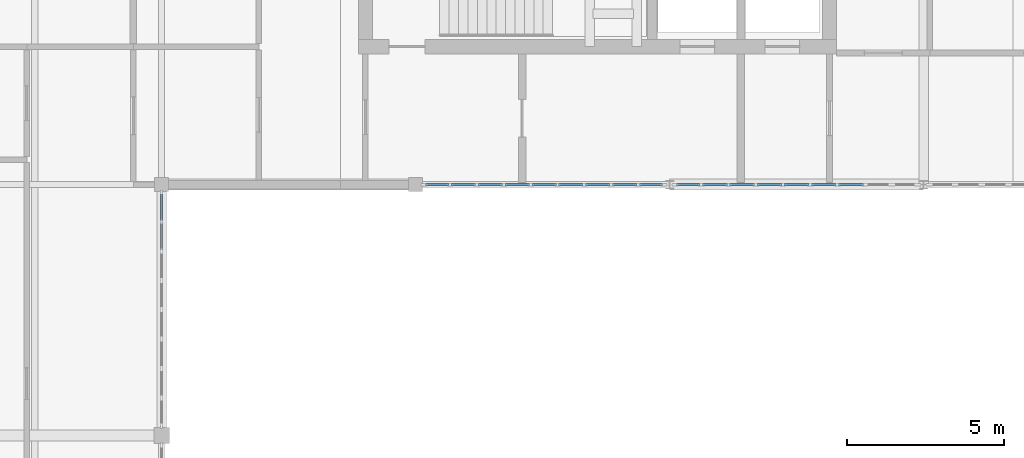
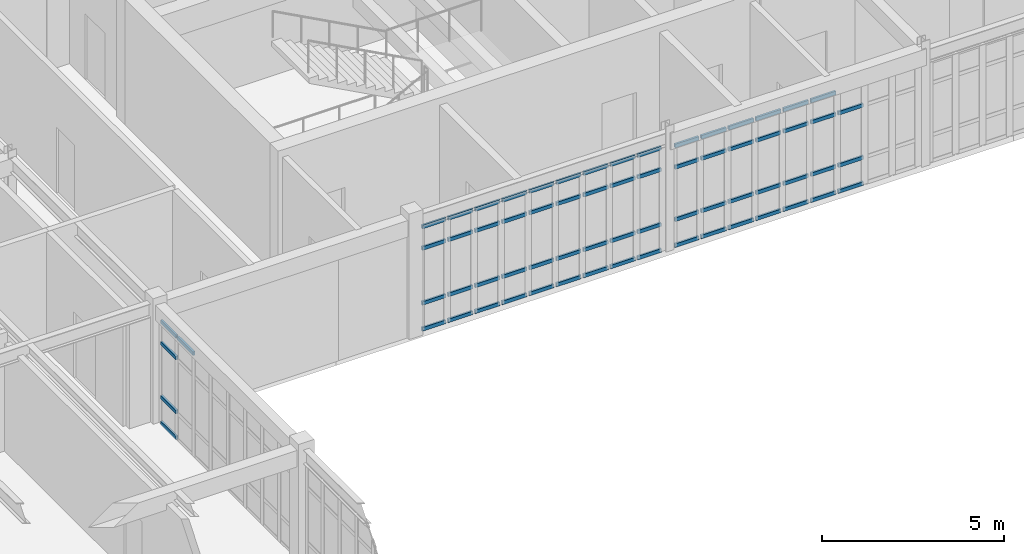
# One storey, part 18 of 36: 68 members, 3 elements without a shape of their own.
"""IFC4 building model written with IfcOpenShell, lengths in metres."""

import ifcopenshell
import ifcopenshell.guid

model = None  # the IFC model being written
_history = None  # IfcOwnerHistory: only IFC2X3 demands one
_inside = {}  # id of a spatial element -> (the spatial element, [elements in it])
_under = {}  # id of a project, library or spatial element -> (it, [spatial elements below it])
_declared = {}  # id of a project -> (the project, [libraries it declares])
_typed = {}  # id of a type object -> (the type object, [elements of that type])
_made_of = {}  # id of a material, layer set ... -> (it, [elements and type objects made of it])


def new_model(schema):
    """Start an empty IFC model of exactly this schema.

    Asked for "IFC4X3", IfcOpenShell would pick the latest addendum, in which some entities
    have other attributes; the version numbers below select the first issue.
    IFC2X3 requires an IfcOwnerHistory on every rooted entity: one is made here for all.
    """
    global model, _history
    if schema == "IFC4X3":
        model = ifcopenshell.file(schema_version=(4, 3, 0, 0))
    else:
        model = ifcopenshell.file(schema=schema)
    _inside.clear()
    _under.clear()
    _declared.clear()
    _typed.clear()
    _made_of.clear()
    _history = None
    if model.schema == "IFC2X3":
        org = make("IfcOrganization", Name="unknown")
        user = make(
            "IfcPersonAndOrganization",
            ThePerson=make("IfcPerson", FamilyName="unknown"),
            TheOrganization=org,
        )
        app = make(
            "IfcApplication",
            ApplicationDeveloper=org,
            Version="unknown",
            ApplicationFullName="unknown",
            ApplicationIdentifier="unknown",
        )
        _history = make(
            "IfcOwnerHistory",
            OwningUser=user,
            OwningApplication=app,
            ChangeAction="ADDED",
            CreationDate=0,
        )
    return model


def make(cls, **values):
    """One entity of the class cls with the attributes given. An attribute that is None is left unset."""
    return model.create_entity(
        cls, **{name: value for name, value in values.items() if value is not None}
    )


def rooted(cls, **values):
    """An entity with a GlobalId (a new one), such as an element, a storey or a relation."""
    return make(cls, GlobalId=ifcopenshell.guid.new(), OwnerHistory=_history, **values)


def si_unit(unit_type, name, prefix=None):
    """IfcSIUnit, for example si_unit("LENGTHUNIT", "METRE", prefix="MILLI")."""
    return make("IfcSIUnit", UnitType=unit_type, Prefix=prefix, Name=name)


def assignment(units):
    """IfcUnitAssignment: the units of a project."""
    return None if units is None else make("IfcUnitAssignment", Units=units)


def point(xyz):
    """IfcCartesianPoint."""
    return None if xyz is None else make("IfcCartesianPoint", Coordinates=xyz)


def direction(xyz):
    """IfcDirection."""
    return None if xyz is None else make("IfcDirection", DirectionRatios=xyz)


def frame(location, z_axis=None, x_axis=None):
    """IfcAxis2Placement3D, a coordinate frame: its origin and axes. An axis left out is left unset."""
    return make(
        "IfcAxis2Placement3D",
        Location=point(location),
        Axis=direction(z_axis),
        RefDirection=direction(x_axis),
    )


def frame_2d(location, x_axis=None):
    """IfcAxis2Placement2D, a coordinate frame in the plane: its origin and x axis."""
    return make(
        "IfcAxis2Placement2D", Location=point(location), RefDirection=direction(x_axis)
    )


def origin():
    """The frame at (0, 0, 0) with its axes left unset."""
    return frame((0.0, 0.0, 0.0))


def origin_2d():
    """The frame at (0, 0) in the plane with its x axis left unset."""
    return frame_2d((0.0, 0.0))


def place(relative_to, where):
    """IfcLocalPlacement: puts the frame where relative to a parent placement (None: the world)."""
    return make(
        "IfcLocalPlacement", PlacementRelTo=relative_to, RelativePlacement=where
    )


def context(
    kind, dimensions, precision=None, world=None, true_north=None, identifier=None
):
    """IfcGeometricRepresentationContext, for example the 3D "Model" context."""
    return make(
        "IfcGeometricRepresentationContext",
        ContextIdentifier=identifier,
        ContextType=kind,
        CoordinateSpaceDimension=dimensions,
        Precision=precision,
        WorldCoordinateSystem=world,
        TrueNorth=true_north,
    )


def subcontext(parent, identifier, kind, view, scale=None):
    """IfcGeometricRepresentationSubContext, for example "Body" below "Model"."""
    return make(
        "IfcGeometricRepresentationSubContext",
        ContextIdentifier=identifier,
        ContextType=kind,
        ParentContext=parent,
        TargetScale=scale,
        TargetView=view,
    )


def project(units=None, contexts=None):
    """IfcProject with its units and contexts."""
    return rooted(
        "IfcProject",
        Name="project",
        RepresentationContexts=contexts,
        UnitsInContext=assignment(units),
    )


def spatial(cls, under=None, at=None, **own):
    """A site, building, storey or space (cls), placed at a placement, below another one or the project."""
    s = rooted(cls, ObjectPlacement=at, **own)
    if under is not None:
        _under.setdefault(under.id(), (under, []))[1].append(s)
    return s


def profile(cls, at=None, kind="AREA", **sizes):
    """A parametric profile (cls). Its sizes go by their IFC names, for example OverallWidth=200.0."""
    return make(cls, ProfileType=kind, Position=at, **sizes)


def rectangle(**sizes):
    """IfcRectangleProfileDef."""
    return profile("IfcRectangleProfileDef", **sizes)


def extrude(swept, where, along, depth):
    """IfcExtrudedAreaSolid: the profile swept, set in the frame where, extruded along a direction by depth."""
    return make(
        "IfcExtrudedAreaSolid",
        SweptArea=swept,
        Position=where,
        ExtrudedDirection=direction(along),
        Depth=depth,
    )


def shape(context_of_items, identifier, shape_type, items):
    """IfcShapeRepresentation: the items that make up one representation, for example the "Body"."""
    return make(
        "IfcShapeRepresentation",
        ContextOfItems=context_of_items,
        RepresentationIdentifier=identifier,
        RepresentationType=shape_type,
        Items=items,
    )


def material(Name=None, Category=None):
    """IfcMaterial."""
    return make("IfcMaterial", Name=Name, Category=Category)


def material_profile(
    of_material, cross_section, Name=None, Category=None, Priority=None
):
    """IfcMaterialProfile: a cross section and its material."""
    return make(
        "IfcMaterialProfile",
        Name=Name,
        Material=of_material,
        Profile=cross_section,
        Priority=Priority,
        Category=Category,
    )


def profile_set(profiles, Name=None, composite=None):
    """IfcMaterialProfileSet."""
    return make(
        "IfcMaterialProfileSet",
        Name=Name,
        MaterialProfiles=profiles,
        CompositeProfile=composite,
    )


def made_of(thing, what):
    """Note that an element or type object is made of a material, layer set ...; save() writes the relation."""
    if what is not None:
        _made_of.setdefault(what.id(), (what, []))[1].append(thing)
    return thing


def type_object(cls, material=None, **own):
    """A type object (cls), such as IfcWallType, which elements share."""
    return made_of(rooted(cls, **own), material)


def element(
    cls,
    number,
    at=None,
    inside=None,
    cuts=None,
    type_object=None,
    material=None,
    context=None,
    identifier="Body",
    shape_type=None,
    held_by="IfcProductDefinitionShape",
    body=None,
    shapes=None,
    **own,
):
    """One element of the class cls, such as IfcWall. Its Tag is "e" and its number.

    at: its placement. inside: the storey or other place that contains it. cuts: it is an
    opening in that element (IfcRelVoidsElement). A single representation is given by context,
    identifier, shape_type and body (its items); several are given by shapes. held_by: the class
    of the entity that holds the representations. save() writes the other relations.
    """
    e = rooted(cls, Tag="e%d" % number, ObjectPlacement=at, **own)
    if body is not None:
        shapes = [shape(context, identifier, shape_type, body)]
    if shapes is not None:
        e.Representation = make(held_by, Representations=shapes)
    if inside is not None:
        _inside.setdefault(inside.id(), (inside, []))[1].append(e)
    if cuts is not None:
        rooted(
            "IfcRelVoidsElement", RelatingBuildingElement=cuts, RelatedOpeningElement=e
        )
    if type_object is not None:
        _typed.setdefault(type_object.id(), (type_object, []))[1].append(e)
    return made_of(e, material)


def aggregate(whole, parts):
    """IfcRelAggregates: a whole, such as a stair, and the parts it consists of."""
    return rooted("IfcRelAggregates", RelatingObject=whole, RelatedObjects=parts)


def save(model, path):
    """Write the relations noted so far, then the file.

    IfcRelAggregates (storeys below a building ...), IfcRelContainedInSpatialStructure (elements
    in a storey), IfcRelDefinesByType, IfcRelAssociatesMaterial and IfcRelDeclares: one each for
    every whole, place, type object, material and project.
    """
    for whole, parts in _under.values():
        aggregate(whole, parts)
    for where, things in _inside.values():
        rooted(
            "IfcRelContainedInSpatialStructure",
            RelatedElements=things,
            RelatingStructure=where,
        )
    for kind, things in _typed.values():
        rooted("IfcRelDefinesByType", RelatedObjects=things, RelatingType=kind)
    for what, things in _made_of.values():
        rooted("IfcRelAssociatesMaterial", RelatedObjects=things, RelatingMaterial=what)
    for by, libraries in _declared.values():
        rooted("IfcRelDeclares", RelatingContext=by, RelatedDefinitions=libraries)
    model.write(path)


model = new_model("IFC4")

# Units and contexts
model_context = context("Model", 3, precision=1e-05, world=origin(), true_north=direction((0.0, 1.0)))
body_context = subcontext(model_context, "Body", "Model", "MODEL_VIEW")
ifc_project = project(units=[si_unit("LENGTHUNIT", "METRE"), si_unit("AREAUNIT", "SQUARE_METRE"), si_unit("VOLUMEUNIT", "CUBIC_METRE"), si_unit("PLANEANGLEUNIT", "RADIAN"), si_unit("MASSUNIT", "GRAM", prefix="KILO")], contexts=[model_context])

# Site, building, storey
site_placement = place(None, origin())
site = spatial("IfcSite", under=ifc_project, at=site_placement, CompositionType="ELEMENT")
building_placement = place(site_placement, origin())
building = spatial("IfcBuilding", under=site, at=building_placement, Name="Tarnveldt Square Police Headquarters", CompositionType="ELEMENT")
storey_placement = place(building_placement, frame((0.0, 0.0, 24.89990234375)))
storey = spatial("IfcBuildingStorey", under=building, at=storey_placement, Name="L05", CompositionType="ELEMENT", Elevation=24.89990234375)

# Curtain wall, members
ifc_material_1 = material(Name="Triple-glazed low-e laminated vision glass", Category="glass")
curtain_wall_type_1 = type_object("IfcCurtainWallType", Name="CW-UP-750x345", PredefinedType="USERDEFINED", material=ifc_material_1)
curtain_wall_1_placement = place(storey_placement, origin())
curtain_wall_1 = element("IfcCurtainWall", 1, at=curtain_wall_1_placement, inside=storey, type_object=curtain_wall_type_1, Name="L05 Curtain Wall CW-L05-088", ObjectType="GLAZED CURTAIN WALL", PredefinedType="USERDEFINED")
ifc_material_2 = material(Name="Thermally broken anodised aluminium 6063-T6", Category="aluminium")
ifc_material_profile = material_profile(ifc_material_2, rectangle(XDim=0.06494140625, YDim=0.1201171875, at=origin_2d()), Name="CW-T65x120")
ifc_profile_set = profile_set([ifc_material_profile], Name="Thermally broken anodised aluminium 6063-T6")
member_type = type_object("IfcMemberType", Name="CWT-65x120", PredefinedType="USERDEFINED", material=ifc_profile_set)
member_1_placement = place(storey_placement, frame((40.5, 93.918701171875, 3.419677734375), z_axis=(0.0, 1.0, 0.0), x_axis=(-1.0, 0.0, 0.0)))
member_1 = element("IfcMember", 2, at=member_1_placement, type_object=member_type, Name="CW-UP46 transom 7.4", ObjectType="TRANSOM", PredefinedType="USERDEFINED", context=body_context, shape_type="SweptSolid", body=[
    extrude(rectangle(XDim=0.06494140625, YDim=0.1201171875, at=origin_2d()), origin(), (0.0, 0.0, 1.0), 0.871826171875),
])
member_2_placement = place(storey_placement, frame((40.5, 94.855712890625, 0.03271484375), z_axis=(0.0, 1.0, 0.0), x_axis=(-1.0, 0.0, 0.0)))
member_2 = element("IfcMember", 3, at=member_2_placement, type_object=member_type, Name="CW-UP46 transom 8.1", ObjectType="TRANSOM", PredefinedType="USERDEFINED", context=body_context, shape_type="SweptSolid", body=[
    extrude(rectangle(XDim=0.06494140625, YDim=0.1201171875, at=origin_2d()), origin(), (0.0, 0.0, 1.0), 0.83935546875),
])
member_3_placement = place(storey_placement, frame((40.5, 94.855712890625, 0.900146484375), z_axis=(0.0, 1.0, 0.0), x_axis=(-1.0, 0.0, 0.0)))
member_3 = element("IfcMember", 4, at=member_3_placement, type_object=member_type, Name="CW-UP46 transom 8.2", ObjectType="TRANSOM", PredefinedType="USERDEFINED", context=body_context, shape_type="SweptSolid", body=[
    extrude(rectangle(XDim=0.06494140625, YDim=0.1201171875, at=origin_2d()), origin(), (0.0, 0.0, 1.0), 0.83935546875),
])
member_4_placement = place(storey_placement, frame((40.5, 94.855712890625, 2.7021484375), z_axis=(0.0, 1.0, 0.0), x_axis=(-1.0, 0.0, 0.0)))
member_4 = element("IfcMember", 5, at=member_4_placement, type_object=member_type, Name="CW-UP46 transom 8.3", ObjectType="TRANSOM", PredefinedType="USERDEFINED", context=body_context, shape_type="SweptSolid", body=[
    extrude(rectangle(XDim=0.06494140625, YDim=0.1201171875, at=origin_2d()), origin(), (0.0, 0.0, 1.0), 0.83935546875),
])
member_5_placement = place(storey_placement, frame((40.5, 94.855712890625, 3.419677734375), z_axis=(0.0, 1.0, 0.0), x_axis=(-1.0, 0.0, 0.0)))
member_5 = element("IfcMember", 6, at=member_5_placement, type_object=member_type, Name="CW-UP46 transom 8.4", ObjectType="TRANSOM", PredefinedType="USERDEFINED", context=body_context, shape_type="SweptSolid", body=[
    extrude(rectangle(XDim=0.06494140625, YDim=0.1201171875, at=origin_2d()), origin(), (0.0, 0.0, 1.0), 0.83935546875),
])
aggregate(curtain_wall_1, [member_1, member_2, member_3, member_4, member_5])

curtain_wall_type_2 = type_object("IfcCurtainWallType", Name="CW-LB-771x349", PredefinedType="USERDEFINED", material=ifc_material_1)
curtain_wall_2_placement = place(storey_placement, origin())
curtain_wall_2 = element("IfcCurtainWall", 7, at=curtain_wall_2_placement, inside=storey, type_object=curtain_wall_type_2, Name="L05 Curtain Wall CW-L05-133", ObjectType="GLAZED CURTAIN WALL", PredefinedType="USERDEFINED")
member_6_placement = place(storey_placement, frame((48.9150390625, 96.0, 0.03271484375), z_axis=(1.0, 0.0, 0.0), x_axis=(0.0, 1.0, 0.0)))
member_6 = element("IfcMember", 8, at=member_6_placement, type_object=member_type, Name="CW-LB80 transom 1.1", ObjectType="TRANSOM", PredefinedType="USERDEFINED", context=body_context, shape_type="SweptSolid", body=[
    extrude(rectangle(XDim=0.06494140625, YDim=0.1201171875, at=origin_2d()), origin(), (0.0, 0.0, 1.0), 0.74462890625),
])
member_7_placement = place(storey_placement, frame((48.9150390625, 96.0, 0.900146484375), z_axis=(1.0, 0.0, 0.0), x_axis=(0.0, 1.0, 0.0)))
member_7 = element("IfcMember", 9, at=member_7_placement, type_object=member_type, Name="CW-LB80 transom 1.2", ObjectType="TRANSOM", PredefinedType="USERDEFINED", context=body_context, shape_type="SweptSolid", body=[
    extrude(rectangle(XDim=0.06494140625, YDim=0.1201171875, at=origin_2d()), origin(), (0.0, 0.0, 1.0), 0.74462890625),
])
member_8_placement = place(storey_placement, frame((48.9150390625, 96.0, 2.739013671875), z_axis=(1.0, 0.0, 0.0), x_axis=(0.0, 1.0, 0.0)))
member_8 = element("IfcMember", 10, at=member_8_placement, type_object=member_type, Name="CW-LB80 transom 1.3", ObjectType="TRANSOM", PredefinedType="USERDEFINED", context=body_context, shape_type="SweptSolid", body=[
    extrude(rectangle(XDim=0.06494140625, YDim=0.1201171875, at=origin_2d()), origin(), (0.0, 0.0, 1.0), 0.74462890625),
])
member_9_placement = place(storey_placement, frame((48.9150390625, 96.0, 3.45654296875), z_axis=(1.0, 0.0, 0.0), x_axis=(0.0, 1.0, 0.0)))
member_9 = element("IfcMember", 11, at=member_9_placement, type_object=member_type, Name="CW-LB80 transom 1.4", ObjectType="TRANSOM", PredefinedType="USERDEFINED", context=body_context, shape_type="SweptSolid", body=[
    extrude(rectangle(XDim=0.06494140625, YDim=0.1201171875, at=origin_2d()), origin(), (0.0, 0.0, 1.0), 0.74462890625),
])
member_10_placement = place(storey_placement, frame((49.734619140625, 96.0, 0.03271484375), z_axis=(1.0, 0.0, 0.0), x_axis=(0.0, 1.0, 0.0)))
member_10 = element("IfcMember", 12, at=member_10_placement, type_object=member_type, Name="CW-LB80 transom 2.1", ObjectType="TRANSOM", PredefinedType="USERDEFINED", context=body_context, shape_type="SweptSolid", body=[
    extrude(rectangle(XDim=0.06494140625, YDim=0.1201171875, at=origin_2d()), origin(), (0.0, 0.0, 1.0), 0.7822265625),
])
member_11_placement = place(storey_placement, frame((49.734619140625, 96.0, 0.900146484375), z_axis=(1.0, 0.0, 0.0), x_axis=(0.0, 1.0, 0.0)))
member_11 = element("IfcMember", 13, at=member_11_placement, type_object=member_type, Name="CW-LB80 transom 2.2", ObjectType="TRANSOM", PredefinedType="USERDEFINED", context=body_context, shape_type="SweptSolid", body=[
    extrude(rectangle(XDim=0.06494140625, YDim=0.1201171875, at=origin_2d()), origin(), (0.0, 0.0, 1.0), 0.7822265625),
])
member_12_placement = place(storey_placement, frame((49.734619140625, 96.0, 2.739013671875), z_axis=(1.0, 0.0, 0.0), x_axis=(0.0, 1.0, 0.0)))
member_12 = element("IfcMember", 14, at=member_12_placement, type_object=member_type, Name="CW-LB80 transom 2.3", ObjectType="TRANSOM", PredefinedType="USERDEFINED", context=body_context, shape_type="SweptSolid", body=[
    extrude(rectangle(XDim=0.06494140625, YDim=0.1201171875, at=origin_2d()), origin(), (0.0, 0.0, 1.0), 0.7822265625),
])
member_13_placement = place(storey_placement, frame((49.734619140625, 96.0, 3.45654296875), z_axis=(1.0, 0.0, 0.0), x_axis=(0.0, 1.0, 0.0)))
member_13 = element("IfcMember", 15, at=member_13_placement, type_object=member_type, Name="CW-LB80 transom 2.4", ObjectType="TRANSOM", PredefinedType="USERDEFINED", context=body_context, shape_type="SweptSolid", body=[
    extrude(rectangle(XDim=0.06494140625, YDim=0.1201171875, at=origin_2d()), origin(), (0.0, 0.0, 1.0), 0.7822265625),
])
member_14_placement = place(storey_placement, frame((50.592041015625, 96.0, 0.03271484375), z_axis=(1.0, 0.0, 0.0), x_axis=(0.0, 1.0, 0.0)))
member_14 = element("IfcMember", 16, at=member_14_placement, type_object=member_type, Name="CW-LB80 transom 3.1", ObjectType="TRANSOM", PredefinedType="USERDEFINED", context=body_context, shape_type="SweptSolid", body=[
    extrude(rectangle(XDim=0.06494140625, YDim=0.1201171875, at=origin_2d()), origin(), (0.0, 0.0, 1.0), 0.7822265625),
])
member_15_placement = place(storey_placement, frame((50.592041015625, 96.0, 0.900146484375), z_axis=(1.0, 0.0, 0.0), x_axis=(0.0, 1.0, 0.0)))
member_15 = element("IfcMember", 17, at=member_15_placement, type_object=member_type, Name="CW-LB80 transom 3.2", ObjectType="TRANSOM", PredefinedType="USERDEFINED", context=body_context, shape_type="SweptSolid", body=[
    extrude(rectangle(XDim=0.06494140625, YDim=0.1201171875, at=origin_2d()), origin(), (0.0, 0.0, 1.0), 0.7822265625),
])
member_16_placement = place(storey_placement, frame((50.592041015625, 96.0, 2.739013671875), z_axis=(1.0, 0.0, 0.0), x_axis=(0.0, 1.0, 0.0)))
member_16 = element("IfcMember", 18, at=member_16_placement, type_object=member_type, Name="CW-LB80 transom 3.3", ObjectType="TRANSOM", PredefinedType="USERDEFINED", context=body_context, shape_type="SweptSolid", body=[
    extrude(rectangle(XDim=0.06494140625, YDim=0.1201171875, at=origin_2d()), origin(), (0.0, 0.0, 1.0), 0.7822265625),
])
member_17_placement = place(storey_placement, frame((50.592041015625, 96.0, 3.45654296875), z_axis=(1.0, 0.0, 0.0), x_axis=(0.0, 1.0, 0.0)))
member_17 = element("IfcMember", 19, at=member_17_placement, type_object=member_type, Name="CW-LB80 transom 3.4", ObjectType="TRANSOM", PredefinedType="USERDEFINED", context=body_context, shape_type="SweptSolid", body=[
    extrude(rectangle(XDim=0.06494140625, YDim=0.1201171875, at=origin_2d()), origin(), (0.0, 0.0, 1.0), 0.7822265625),
])
member_18_placement = place(storey_placement, frame((51.44921875, 96.0, 0.03271484375), z_axis=(1.0, 0.0, 0.0), x_axis=(0.0, 1.0, 0.0)))
member_18 = element("IfcMember", 20, at=member_18_placement, type_object=member_type, Name="CW-LB80 transom 4.1", ObjectType="TRANSOM", PredefinedType="USERDEFINED", context=body_context, shape_type="SweptSolid", body=[
    extrude(rectangle(XDim=0.06494140625, YDim=0.1201171875, at=origin_2d()), origin(), (0.0, 0.0, 1.0), 0.7822265625),
])
member_19_placement = place(storey_placement, frame((51.44921875, 96.0, 0.900146484375), z_axis=(1.0, 0.0, 0.0), x_axis=(0.0, 1.0, 0.0)))
member_19 = element("IfcMember", 21, at=member_19_placement, type_object=member_type, Name="CW-LB80 transom 4.2", ObjectType="TRANSOM", PredefinedType="USERDEFINED", context=body_context, shape_type="SweptSolid", body=[
    extrude(rectangle(XDim=0.06494140625, YDim=0.1201171875, at=origin_2d()), origin(), (0.0, 0.0, 1.0), 0.7822265625),
])
member_20_placement = place(storey_placement, frame((51.44921875, 96.0, 2.739013671875), z_axis=(1.0, 0.0, 0.0), x_axis=(0.0, 1.0, 0.0)))
member_20 = element("IfcMember", 22, at=member_20_placement, type_object=member_type, Name="CW-LB80 transom 4.3", ObjectType="TRANSOM", PredefinedType="USERDEFINED", context=body_context, shape_type="SweptSolid", body=[
    extrude(rectangle(XDim=0.06494140625, YDim=0.1201171875, at=origin_2d()), origin(), (0.0, 0.0, 1.0), 0.7822265625),
])
member_21_placement = place(storey_placement, frame((51.44921875, 96.0, 3.45654296875), z_axis=(1.0, 0.0, 0.0), x_axis=(0.0, 1.0, 0.0)))
member_21 = element("IfcMember", 23, at=member_21_placement, type_object=member_type, Name="CW-LB80 transom 4.4", ObjectType="TRANSOM", PredefinedType="USERDEFINED", context=body_context, shape_type="SweptSolid", body=[
    extrude(rectangle(XDim=0.06494140625, YDim=0.1201171875, at=origin_2d()), origin(), (0.0, 0.0, 1.0), 0.7822265625),
])
member_22_placement = place(storey_placement, frame((52.306396484375, 96.0, 0.03271484375), z_axis=(1.0, 0.0, 0.0), x_axis=(0.0, 1.0, 0.0)))
member_22 = element("IfcMember", 24, at=member_22_placement, type_object=member_type, Name="CW-LB80 transom 5.1", ObjectType="TRANSOM", PredefinedType="USERDEFINED", context=body_context, shape_type="SweptSolid", body=[
    extrude(rectangle(XDim=0.06494140625, YDim=0.1201171875, at=origin_2d()), origin(), (0.0, 0.0, 1.0), 0.7822265625),
])
member_23_placement = place(storey_placement, frame((52.306396484375, 96.0, 0.900146484375), z_axis=(1.0, 0.0, 0.0), x_axis=(0.0, 1.0, 0.0)))
member_23 = element("IfcMember", 25, at=member_23_placement, type_object=member_type, Name="CW-LB80 transom 5.2", ObjectType="TRANSOM", PredefinedType="USERDEFINED", context=body_context, shape_type="SweptSolid", body=[
    extrude(rectangle(XDim=0.06494140625, YDim=0.1201171875, at=origin_2d()), origin(), (0.0, 0.0, 1.0), 0.7822265625),
])
member_24_placement = place(storey_placement, frame((52.306396484375, 96.0, 2.739013671875), z_axis=(1.0, 0.0, 0.0), x_axis=(0.0, 1.0, 0.0)))
member_24 = element("IfcMember", 26, at=member_24_placement, type_object=member_type, Name="CW-LB80 transom 5.3", ObjectType="TRANSOM", PredefinedType="USERDEFINED", context=body_context, shape_type="SweptSolid", body=[
    extrude(rectangle(XDim=0.06494140625, YDim=0.1201171875, at=origin_2d()), origin(), (0.0, 0.0, 1.0), 0.7822265625),
])
member_25_placement = place(storey_placement, frame((52.306396484375, 96.0, 3.45654296875), z_axis=(1.0, 0.0, 0.0), x_axis=(0.0, 1.0, 0.0)))
member_25 = element("IfcMember", 27, at=member_25_placement, type_object=member_type, Name="CW-LB80 transom 5.4", ObjectType="TRANSOM", PredefinedType="USERDEFINED", context=body_context, shape_type="SweptSolid", body=[
    extrude(rectangle(XDim=0.06494140625, YDim=0.1201171875, at=origin_2d()), origin(), (0.0, 0.0, 1.0), 0.7822265625),
])
member_26_placement = place(storey_placement, frame((53.16357421875, 96.0, 0.03271484375), z_axis=(1.0, 0.0, 0.0), x_axis=(0.0, 1.0, 0.0)))
member_26 = element("IfcMember", 28, at=member_26_placement, type_object=member_type, Name="CW-LB80 transom 6.1", ObjectType="TRANSOM", PredefinedType="USERDEFINED", context=body_context, shape_type="SweptSolid", body=[
    extrude(rectangle(XDim=0.06494140625, YDim=0.1201171875, at=origin_2d()), origin(), (0.0, 0.0, 1.0), 0.7822265625),
])
member_27_placement = place(storey_placement, frame((53.16357421875, 96.0, 0.900146484375), z_axis=(1.0, 0.0, 0.0), x_axis=(0.0, 1.0, 0.0)))
member_27 = element("IfcMember", 29, at=member_27_placement, type_object=member_type, Name="CW-LB80 transom 6.2", ObjectType="TRANSOM", PredefinedType="USERDEFINED", context=body_context, shape_type="SweptSolid", body=[
    extrude(rectangle(XDim=0.06494140625, YDim=0.1201171875, at=origin_2d()), origin(), (0.0, 0.0, 1.0), 0.7822265625),
])
member_28_placement = place(storey_placement, frame((53.16357421875, 96.0, 2.739013671875), z_axis=(1.0, 0.0, 0.0), x_axis=(0.0, 1.0, 0.0)))
member_28 = element("IfcMember", 30, at=member_28_placement, type_object=member_type, Name="CW-LB80 transom 6.3", ObjectType="TRANSOM", PredefinedType="USERDEFINED", context=body_context, shape_type="SweptSolid", body=[
    extrude(rectangle(XDim=0.06494140625, YDim=0.1201171875, at=origin_2d()), origin(), (0.0, 0.0, 1.0), 0.7822265625),
])
member_29_placement = place(storey_placement, frame((53.16357421875, 96.0, 3.45654296875), z_axis=(1.0, 0.0, 0.0), x_axis=(0.0, 1.0, 0.0)))
member_29 = element("IfcMember", 31, at=member_29_placement, type_object=member_type, Name="CW-LB80 transom 6.4", ObjectType="TRANSOM", PredefinedType="USERDEFINED", context=body_context, shape_type="SweptSolid", body=[
    extrude(rectangle(XDim=0.06494140625, YDim=0.1201171875, at=origin_2d()), origin(), (0.0, 0.0, 1.0), 0.7822265625),
])
member_30_placement = place(storey_placement, frame((54.020751953125, 96.0, 0.03271484375), z_axis=(1.0, 0.0, 0.0), x_axis=(0.0, 1.0, 0.0)))
member_30 = element("IfcMember", 32, at=member_30_placement, type_object=member_type, Name="CW-LB80 transom 7.1", ObjectType="TRANSOM", PredefinedType="USERDEFINED", context=body_context, shape_type="SweptSolid", body=[
    extrude(rectangle(XDim=0.06494140625, YDim=0.1201171875, at=origin_2d()), origin(), (0.0, 0.0, 1.0), 0.7822265625),
])
member_31_placement = place(storey_placement, frame((54.020751953125, 96.0, 0.900146484375), z_axis=(1.0, 0.0, 0.0), x_axis=(0.0, 1.0, 0.0)))
member_31 = element("IfcMember", 33, at=member_31_placement, type_object=member_type, Name="CW-LB80 transom 7.2", ObjectType="TRANSOM", PredefinedType="USERDEFINED", context=body_context, shape_type="SweptSolid", body=[
    extrude(rectangle(XDim=0.06494140625, YDim=0.1201171875, at=origin_2d()), origin(), (0.0, 0.0, 1.0), 0.7822265625),
])
member_32_placement = place(storey_placement, frame((54.020751953125, 96.0, 2.739013671875), z_axis=(1.0, 0.0, 0.0), x_axis=(0.0, 1.0, 0.0)))
member_32 = element("IfcMember", 34, at=member_32_placement, type_object=member_type, Name="CW-LB80 transom 7.3", ObjectType="TRANSOM", PredefinedType="USERDEFINED", context=body_context, shape_type="SweptSolid", body=[
    extrude(rectangle(XDim=0.06494140625, YDim=0.1201171875, at=origin_2d()), origin(), (0.0, 0.0, 1.0), 0.7822265625),
])
member_33_placement = place(storey_placement, frame((54.020751953125, 96.0, 3.45654296875), z_axis=(1.0, 0.0, 0.0), x_axis=(0.0, 1.0, 0.0)))
member_33 = element("IfcMember", 35, at=member_33_placement, type_object=member_type, Name="CW-LB80 transom 7.4", ObjectType="TRANSOM", PredefinedType="USERDEFINED", context=body_context, shape_type="SweptSolid", body=[
    extrude(rectangle(XDim=0.06494140625, YDim=0.1201171875, at=origin_2d()), origin(), (0.0, 0.0, 1.0), 0.7822265625),
])
member_34_placement = place(storey_placement, frame((54.878173828125, 96.0, 0.03271484375), z_axis=(1.0, 0.0, 0.0), x_axis=(0.0, 1.0, 0.0)))
member_34 = element("IfcMember", 36, at=member_34_placement, type_object=member_type, Name="CW-LB80 transom 8.1", ObjectType="TRANSOM", PredefinedType="USERDEFINED", context=body_context, shape_type="SweptSolid", body=[
    extrude(rectangle(XDim=0.06494140625, YDim=0.1201171875, at=origin_2d()), origin(), (0.0, 0.0, 1.0), 0.781982421875),
])
member_35_placement = place(storey_placement, frame((54.878173828125, 96.0, 0.900146484375), z_axis=(1.0, 0.0, 0.0), x_axis=(0.0, 1.0, 0.0)))
member_35 = element("IfcMember", 37, at=member_35_placement, type_object=member_type, Name="CW-LB80 transom 8.2", ObjectType="TRANSOM", PredefinedType="USERDEFINED", context=body_context, shape_type="SweptSolid", body=[
    extrude(rectangle(XDim=0.06494140625, YDim=0.1201171875, at=origin_2d()), origin(), (0.0, 0.0, 1.0), 0.781982421875),
])
member_36_placement = place(storey_placement, frame((54.878173828125, 96.0, 2.739013671875), z_axis=(1.0, 0.0, 0.0), x_axis=(0.0, 1.0, 0.0)))
member_36 = element("IfcMember", 38, at=member_36_placement, type_object=member_type, Name="CW-LB80 transom 8.3", ObjectType="TRANSOM", PredefinedType="USERDEFINED", context=body_context, shape_type="SweptSolid", body=[
    extrude(rectangle(XDim=0.06494140625, YDim=0.1201171875, at=origin_2d()), origin(), (0.0, 0.0, 1.0), 0.781982421875),
])
member_37_placement = place(storey_placement, frame((54.878173828125, 96.0, 3.45654296875), z_axis=(1.0, 0.0, 0.0), x_axis=(0.0, 1.0, 0.0)))
member_37 = element("IfcMember", 39, at=member_37_placement, type_object=member_type, Name="CW-LB80 transom 8.4", ObjectType="TRANSOM", PredefinedType="USERDEFINED", context=body_context, shape_type="SweptSolid", body=[
    extrude(rectangle(XDim=0.06494140625, YDim=0.1201171875, at=origin_2d()), origin(), (0.0, 0.0, 1.0), 0.781982421875),
])
member_38_placement = place(storey_placement, frame((55.7353515625, 96.0, 0.03271484375), z_axis=(1.0, 0.0, 0.0), x_axis=(0.0, 1.0, 0.0)))
member_38 = element("IfcMember", 40, at=member_38_placement, type_object=member_type, Name="CW-LB80 transom 9.1", ObjectType="TRANSOM", PredefinedType="USERDEFINED", context=body_context, shape_type="SweptSolid", body=[
    extrude(rectangle(XDim=0.06494140625, YDim=0.1201171875, at=origin_2d()), origin(), (0.0, 0.0, 1.0), 0.74462890625),
])
member_39_placement = place(storey_placement, frame((55.7353515625, 96.0, 0.900146484375), z_axis=(1.0, 0.0, 0.0), x_axis=(0.0, 1.0, 0.0)))
member_39 = element("IfcMember", 41, at=member_39_placement, type_object=member_type, Name="CW-LB80 transom 9.2", ObjectType="TRANSOM", PredefinedType="USERDEFINED", context=body_context, shape_type="SweptSolid", body=[
    extrude(rectangle(XDim=0.06494140625, YDim=0.1201171875, at=origin_2d()), origin(), (0.0, 0.0, 1.0), 0.74462890625),
])
member_40_placement = place(storey_placement, frame((55.7353515625, 96.0, 2.739013671875), z_axis=(1.0, 0.0, 0.0), x_axis=(0.0, 1.0, 0.0)))
member_40 = element("IfcMember", 42, at=member_40_placement, type_object=member_type, Name="CW-LB80 transom 9.3", ObjectType="TRANSOM", PredefinedType="USERDEFINED", context=body_context, shape_type="SweptSolid", body=[
    extrude(rectangle(XDim=0.06494140625, YDim=0.1201171875, at=origin_2d()), origin(), (0.0, 0.0, 1.0), 0.74462890625),
])
member_41_placement = place(storey_placement, frame((55.7353515625, 96.0, 3.45654296875), z_axis=(1.0, 0.0, 0.0), x_axis=(0.0, 1.0, 0.0)))
member_41 = element("IfcMember", 43, at=member_41_placement, type_object=member_type, Name="CW-LB80 transom 9.4", ObjectType="TRANSOM", PredefinedType="USERDEFINED", context=body_context, shape_type="SweptSolid", body=[
    extrude(rectangle(XDim=0.06494140625, YDim=0.1201171875, at=origin_2d()), origin(), (0.0, 0.0, 1.0), 0.74462890625),
])
aggregate(curtain_wall_2, [member_6, member_7, member_8, member_9, member_10, member_11, member_12, member_13, member_14, member_15, member_16, member_17, member_18, member_19, member_20, member_21, member_22, member_23, member_24, member_25, member_26, member_27, member_28, member_29, member_30, member_31, member_32, member_33, member_34, member_35, member_36, member_37, member_38, member_39, member_40, member_41])

curtain_wall_type_3 = type_object("IfcCurtainWallType", Name="CW-LB-781x340", PredefinedType="USERDEFINED", material=ifc_material_1)
curtain_wall_3_placement = place(storey_placement, origin())
curtain_wall_3 = element("IfcCurtainWall", 44, at=curtain_wall_3_placement, inside=storey, type_object=curtain_wall_type_3, Name="L05 Curtain Wall CW-L05-134", ObjectType="GLAZED CURTAIN WALL", PredefinedType="USERDEFINED")
member_42_placement = place(storey_placement, frame((56.919921875, 96.0, 0.03271484375), z_axis=(1.0, 0.0, 0.0), x_axis=(0.0, 1.0, 0.0)))
member_42 = element("IfcMember", 45, at=member_42_placement, type_object=member_type, Name="CW-LB81 transom 1.1", ObjectType="TRANSOM", PredefinedType="USERDEFINED", context=body_context, shape_type="SweptSolid", body=[
    extrude(rectangle(XDim=0.06494140625, YDim=0.1201171875, at=origin_2d()), origin(), (0.0, 0.0, 1.0), 0.75537109375),
])
member_43_placement = place(storey_placement, frame((56.919921875, 96.0, 0.900146484375), z_axis=(1.0, 0.0, 0.0), x_axis=(0.0, 1.0, 0.0)))
member_43 = element("IfcMember", 46, at=member_43_placement, type_object=member_type, Name="CW-LB81 transom 1.2", ObjectType="TRANSOM", PredefinedType="USERDEFINED", context=body_context, shape_type="SweptSolid", body=[
    extrude(rectangle(XDim=0.06494140625, YDim=0.1201171875, at=origin_2d()), origin(), (0.0, 0.0, 1.0), 0.75537109375),
])
member_44_placement = place(storey_placement, frame((56.919921875, 96.0, 2.652099609375), z_axis=(1.0, 0.0, 0.0), x_axis=(0.0, 1.0, 0.0)))
member_44 = element("IfcMember", 47, at=member_44_placement, type_object=member_type, Name="CW-LB81 transom 1.3", ObjectType="TRANSOM", PredefinedType="USERDEFINED", context=body_context, shape_type="SweptSolid", body=[
    extrude(rectangle(XDim=0.06494140625, YDim=0.1201171875, at=origin_2d()), origin(), (0.0, 0.0, 1.0), 0.75537109375),
])
member_45_placement = place(storey_placement, frame((56.919921875, 96.0, 3.36962890625), z_axis=(1.0, 0.0, 0.0), x_axis=(0.0, 1.0, 0.0)))
member_45 = element("IfcMember", 48, at=member_45_placement, type_object=member_type, Name="CW-LB81 transom 1.4", ObjectType="TRANSOM", PredefinedType="USERDEFINED", context=body_context, shape_type="SweptSolid", body=[
    extrude(rectangle(XDim=0.06494140625, YDim=0.1201171875, at=origin_2d()), origin(), (0.0, 0.0, 1.0), 0.75537109375),
])
member_46_placement = place(storey_placement, frame((57.750244140625, 96.0, 0.03271484375), z_axis=(1.0, 0.0, 0.0), x_axis=(0.0, 1.0, 0.0)))
member_46 = element("IfcMember", 49, at=member_46_placement, type_object=member_type, Name="CW-LB81 transom 2.1", ObjectType="TRANSOM", PredefinedType="USERDEFINED", context=body_context, shape_type="SweptSolid", body=[
    extrude(rectangle(XDim=0.06494140625, YDim=0.1201171875, at=origin_2d()), origin(), (0.0, 0.0, 1.0), 0.792724609375),
])
member_47_placement = place(storey_placement, frame((57.750244140625, 96.0, 0.900146484375), z_axis=(1.0, 0.0, 0.0), x_axis=(0.0, 1.0, 0.0)))
member_47 = element("IfcMember", 50, at=member_47_placement, type_object=member_type, Name="CW-LB81 transom 2.2", ObjectType="TRANSOM", PredefinedType="USERDEFINED", context=body_context, shape_type="SweptSolid", body=[
    extrude(rectangle(XDim=0.06494140625, YDim=0.1201171875, at=origin_2d()), origin(), (0.0, 0.0, 1.0), 0.792724609375),
])
member_48_placement = place(storey_placement, frame((57.750244140625, 96.0, 2.652099609375), z_axis=(1.0, 0.0, 0.0), x_axis=(0.0, 1.0, 0.0)))
member_48 = element("IfcMember", 51, at=member_48_placement, type_object=member_type, Name="CW-LB81 transom 2.3", ObjectType="TRANSOM", PredefinedType="USERDEFINED", context=body_context, shape_type="SweptSolid", body=[
    extrude(rectangle(XDim=0.06494140625, YDim=0.1201171875, at=origin_2d()), origin(), (0.0, 0.0, 1.0), 0.792724609375),
])
member_49_placement = place(storey_placement, frame((57.750244140625, 96.0, 3.36962890625), z_axis=(1.0, 0.0, 0.0), x_axis=(0.0, 1.0, 0.0)))
member_49 = element("IfcMember", 52, at=member_49_placement, type_object=member_type, Name="CW-LB81 transom 2.4", ObjectType="TRANSOM", PredefinedType="USERDEFINED", context=body_context, shape_type="SweptSolid", body=[
    extrude(rectangle(XDim=0.06494140625, YDim=0.1201171875, at=origin_2d()), origin(), (0.0, 0.0, 1.0), 0.792724609375),
])
member_50_placement = place(storey_placement, frame((58.6181640625, 96.0, 0.03271484375), z_axis=(1.0, 0.0, 0.0), x_axis=(0.0, 1.0, 0.0)))
member_50 = element("IfcMember", 53, at=member_50_placement, type_object=member_type, Name="CW-LB81 transom 3.1", ObjectType="TRANSOM", PredefinedType="USERDEFINED", context=body_context, shape_type="SweptSolid", body=[
    extrude(rectangle(XDim=0.06494140625, YDim=0.1201171875, at=origin_2d()), origin(), (0.0, 0.0, 1.0), 0.792724609375),
])
member_51_placement = place(storey_placement, frame((58.6181640625, 96.0, 0.900146484375), z_axis=(1.0, 0.0, 0.0), x_axis=(0.0, 1.0, 0.0)))
member_51 = element("IfcMember", 54, at=member_51_placement, type_object=member_type, Name="CW-LB81 transom 3.2", ObjectType="TRANSOM", PredefinedType="USERDEFINED", context=body_context, shape_type="SweptSolid", body=[
    extrude(rectangle(XDim=0.06494140625, YDim=0.1201171875, at=origin_2d()), origin(), (0.0, 0.0, 1.0), 0.792724609375),
])
member_52_placement = place(storey_placement, frame((58.6181640625, 96.0, 2.652099609375), z_axis=(1.0, 0.0, 0.0), x_axis=(0.0, 1.0, 0.0)))
member_52 = element("IfcMember", 55, at=member_52_placement, type_object=member_type, Name="CW-LB81 transom 3.3", ObjectType="TRANSOM", PredefinedType="USERDEFINED", context=body_context, shape_type="SweptSolid", body=[
    extrude(rectangle(XDim=0.06494140625, YDim=0.1201171875, at=origin_2d()), origin(), (0.0, 0.0, 1.0), 0.792724609375),
])
member_53_placement = place(storey_placement, frame((58.6181640625, 96.0, 3.36962890625), z_axis=(1.0, 0.0, 0.0), x_axis=(0.0, 1.0, 0.0)))
member_53 = element("IfcMember", 56, at=member_53_placement, type_object=member_type, Name="CW-LB81 transom 3.4", ObjectType="TRANSOM", PredefinedType="USERDEFINED", context=body_context, shape_type="SweptSolid", body=[
    extrude(rectangle(XDim=0.06494140625, YDim=0.1201171875, at=origin_2d()), origin(), (0.0, 0.0, 1.0), 0.792724609375),
])
member_54_placement = place(storey_placement, frame((59.48583984375, 96.0, 0.03271484375), z_axis=(1.0, 0.0, 0.0), x_axis=(0.0, 1.0, 0.0)))
member_54 = element("IfcMember", 57, at=member_54_placement, type_object=member_type, Name="CW-LB81 transom 4.1", ObjectType="TRANSOM", PredefinedType="USERDEFINED", context=body_context, shape_type="SweptSolid", body=[
    extrude(rectangle(XDim=0.06494140625, YDim=0.1201171875, at=origin_2d()), origin(), (0.0, 0.0, 1.0), 0.792724609375),
])
member_55_placement = place(storey_placement, frame((59.48583984375, 96.0, 0.900146484375), z_axis=(1.0, 0.0, 0.0), x_axis=(0.0, 1.0, 0.0)))
member_55 = element("IfcMember", 58, at=member_55_placement, type_object=member_type, Name="CW-LB81 transom 4.2", ObjectType="TRANSOM", PredefinedType="USERDEFINED", context=body_context, shape_type="SweptSolid", body=[
    extrude(rectangle(XDim=0.06494140625, YDim=0.1201171875, at=origin_2d()), origin(), (0.0, 0.0, 1.0), 0.792724609375),
])
member_56_placement = place(storey_placement, frame((59.48583984375, 96.0, 2.652099609375), z_axis=(1.0, 0.0, 0.0), x_axis=(0.0, 1.0, 0.0)))
member_56 = element("IfcMember", 59, at=member_56_placement, type_object=member_type, Name="CW-LB81 transom 4.3", ObjectType="TRANSOM", PredefinedType="USERDEFINED", context=body_context, shape_type="SweptSolid", body=[
    extrude(rectangle(XDim=0.06494140625, YDim=0.1201171875, at=origin_2d()), origin(), (0.0, 0.0, 1.0), 0.792724609375),
])
member_57_placement = place(storey_placement, frame((59.48583984375, 96.0, 3.36962890625), z_axis=(1.0, 0.0, 0.0), x_axis=(0.0, 1.0, 0.0)))
member_57 = element("IfcMember", 60, at=member_57_placement, type_object=member_type, Name="CW-LB81 transom 4.4", ObjectType="TRANSOM", PredefinedType="USERDEFINED", context=body_context, shape_type="SweptSolid", body=[
    extrude(rectangle(XDim=0.06494140625, YDim=0.1201171875, at=origin_2d()), origin(), (0.0, 0.0, 1.0), 0.792724609375),
])
member_58_placement = place(storey_placement, frame((60.353515625, 96.0, 0.03271484375), z_axis=(1.0, 0.0, 0.0), x_axis=(0.0, 1.0, 0.0)))
member_58 = element("IfcMember", 61, at=member_58_placement, type_object=member_type, Name="CW-LB81 transom 5.1", ObjectType="TRANSOM", PredefinedType="USERDEFINED", context=body_context, shape_type="SweptSolid", body=[
    extrude(rectangle(XDim=0.06494140625, YDim=0.1201171875, at=origin_2d()), origin(), (0.0, 0.0, 1.0), 0.79296875),
])
member_59_placement = place(storey_placement, frame((60.353515625, 96.0, 0.900146484375), z_axis=(1.0, 0.0, 0.0), x_axis=(0.0, 1.0, 0.0)))
member_59 = element("IfcMember", 62, at=member_59_placement, type_object=member_type, Name="CW-LB81 transom 5.2", ObjectType="TRANSOM", PredefinedType="USERDEFINED", context=body_context, shape_type="SweptSolid", body=[
    extrude(rectangle(XDim=0.06494140625, YDim=0.1201171875, at=origin_2d()), origin(), (0.0, 0.0, 1.0), 0.79296875),
])
member_60_placement = place(storey_placement, frame((60.353515625, 96.0, 2.652099609375), z_axis=(1.0, 0.0, 0.0), x_axis=(0.0, 1.0, 0.0)))
member_60 = element("IfcMember", 63, at=member_60_placement, type_object=member_type, Name="CW-LB81 transom 5.3", ObjectType="TRANSOM", PredefinedType="USERDEFINED", context=body_context, shape_type="SweptSolid", body=[
    extrude(rectangle(XDim=0.06494140625, YDim=0.1201171875, at=origin_2d()), origin(), (0.0, 0.0, 1.0), 0.79296875),
])
member_61_placement = place(storey_placement, frame((60.353515625, 96.0, 3.36962890625), z_axis=(1.0, 0.0, 0.0), x_axis=(0.0, 1.0, 0.0)))
member_61 = element("IfcMember", 64, at=member_61_placement, type_object=member_type, Name="CW-LB81 transom 5.4", ObjectType="TRANSOM", PredefinedType="USERDEFINED", context=body_context, shape_type="SweptSolid", body=[
    extrude(rectangle(XDim=0.06494140625, YDim=0.1201171875, at=origin_2d()), origin(), (0.0, 0.0, 1.0), 0.79296875),
])
member_62_placement = place(storey_placement, frame((61.221435546875, 96.0, 0.03271484375), z_axis=(1.0, 0.0, 0.0), x_axis=(0.0, 1.0, 0.0)))
member_62 = element("IfcMember", 65, at=member_62_placement, type_object=member_type, Name="CW-LB81 transom 6.1", ObjectType="TRANSOM", PredefinedType="USERDEFINED", context=body_context, shape_type="SweptSolid", body=[
    extrude(rectangle(XDim=0.06494140625, YDim=0.1201171875, at=origin_2d()), origin(), (0.0, 0.0, 1.0), 0.792724609375),
])
member_63_placement = place(storey_placement, frame((61.221435546875, 96.0, 0.900146484375), z_axis=(1.0, 0.0, 0.0), x_axis=(0.0, 1.0, 0.0)))
member_63 = element("IfcMember", 66, at=member_63_placement, type_object=member_type, Name="CW-LB81 transom 6.2", ObjectType="TRANSOM", PredefinedType="USERDEFINED", context=body_context, shape_type="SweptSolid", body=[
    extrude(rectangle(XDim=0.06494140625, YDim=0.1201171875, at=origin_2d()), origin(), (0.0, 0.0, 1.0), 0.792724609375),
])
member_64_placement = place(storey_placement, frame((61.221435546875, 96.0, 2.652099609375), z_axis=(1.0, 0.0, 0.0), x_axis=(0.0, 1.0, 0.0)))
member_64 = element("IfcMember", 67, at=member_64_placement, type_object=member_type, Name="CW-LB81 transom 6.3", ObjectType="TRANSOM", PredefinedType="USERDEFINED", context=body_context, shape_type="SweptSolid", body=[
    extrude(rectangle(XDim=0.06494140625, YDim=0.1201171875, at=origin_2d()), origin(), (0.0, 0.0, 1.0), 0.792724609375),
])
member_65_placement = place(storey_placement, frame((61.221435546875, 96.0, 3.36962890625), z_axis=(1.0, 0.0, 0.0), x_axis=(0.0, 1.0, 0.0)))
member_65 = element("IfcMember", 68, at=member_65_placement, type_object=member_type, Name="CW-LB81 transom 6.4", ObjectType="TRANSOM", PredefinedType="USERDEFINED", context=body_context, shape_type="SweptSolid", body=[
    extrude(rectangle(XDim=0.06494140625, YDim=0.1201171875, at=origin_2d()), origin(), (0.0, 0.0, 1.0), 0.792724609375),
])
member_66_placement = place(storey_placement, frame((62.089111328125, 96.0, 0.03271484375), z_axis=(1.0, 0.0, 0.0), x_axis=(0.0, 1.0, 0.0)))
member_66 = element("IfcMember", 69, at=member_66_placement, type_object=member_type, Name="CW-LB81 transom 7.1", ObjectType="TRANSOM", PredefinedType="USERDEFINED", context=body_context, shape_type="SweptSolid", body=[
    extrude(rectangle(XDim=0.06494140625, YDim=0.1201171875, at=origin_2d()), origin(), (0.0, 0.0, 1.0), 0.792724609375),
])
member_67_placement = place(storey_placement, frame((62.089111328125, 96.0, 0.900146484375), z_axis=(1.0, 0.0, 0.0), x_axis=(0.0, 1.0, 0.0)))
member_67 = element("IfcMember", 70, at=member_67_placement, type_object=member_type, Name="CW-LB81 transom 7.2", ObjectType="TRANSOM", PredefinedType="USERDEFINED", context=body_context, shape_type="SweptSolid", body=[
    extrude(rectangle(XDim=0.06494140625, YDim=0.1201171875, at=origin_2d()), origin(), (0.0, 0.0, 1.0), 0.792724609375),
])
member_68_placement = place(storey_placement, frame((62.089111328125, 96.0, 2.652099609375), z_axis=(1.0, 0.0, 0.0), x_axis=(0.0, 1.0, 0.0)))
member_68 = element("IfcMember", 71, at=member_68_placement, type_object=member_type, Name="CW-LB81 transom 7.3", ObjectType="TRANSOM", PredefinedType="USERDEFINED", context=body_context, shape_type="SweptSolid", body=[
    extrude(rectangle(XDim=0.06494140625, YDim=0.1201171875, at=origin_2d()), origin(), (0.0, 0.0, 1.0), 0.792724609375),
])
aggregate(curtain_wall_3, [member_42, member_43, member_44, member_45, member_46, member_47, member_48, member_49, member_50, member_51, member_52, member_53, member_54, member_55, member_56, member_57, member_58, member_59, member_60, member_61, member_62, member_63, member_64, member_65, member_66, member_67, member_68])

save(model, "model.ifc")
